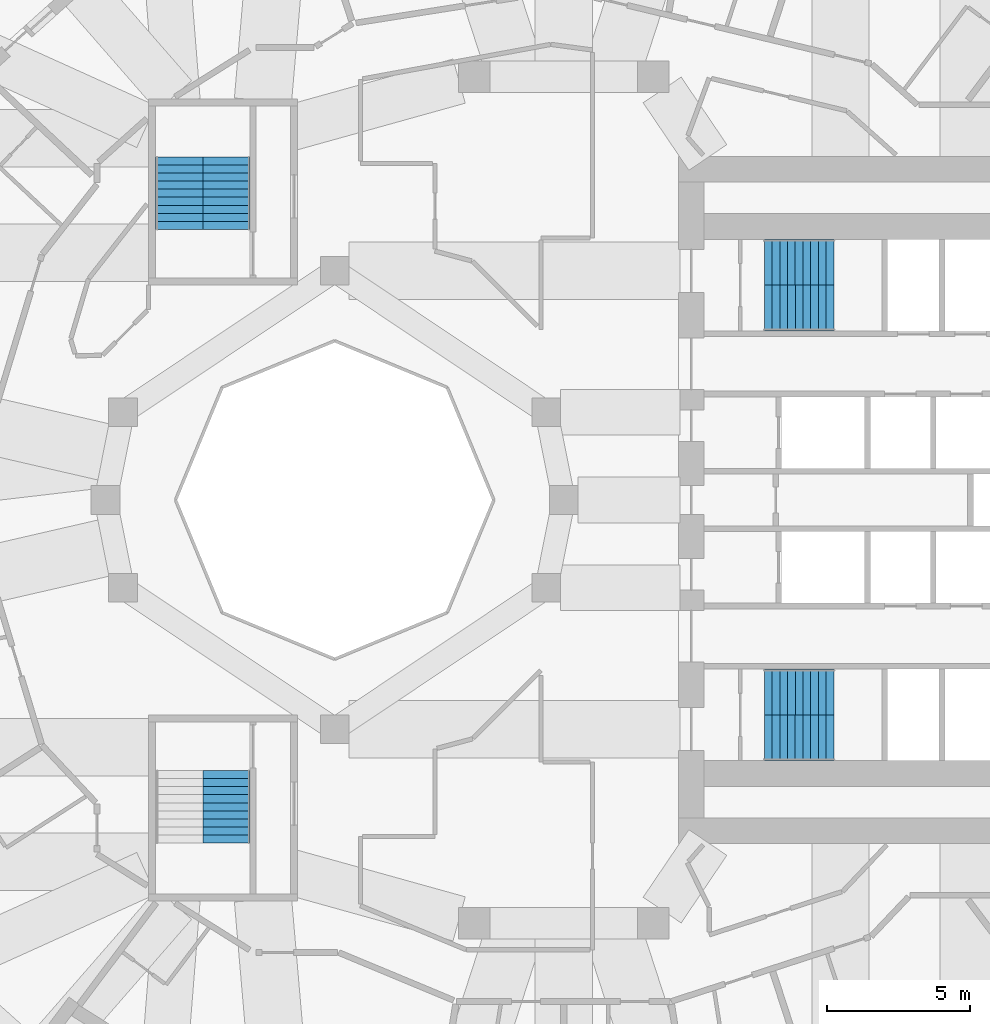
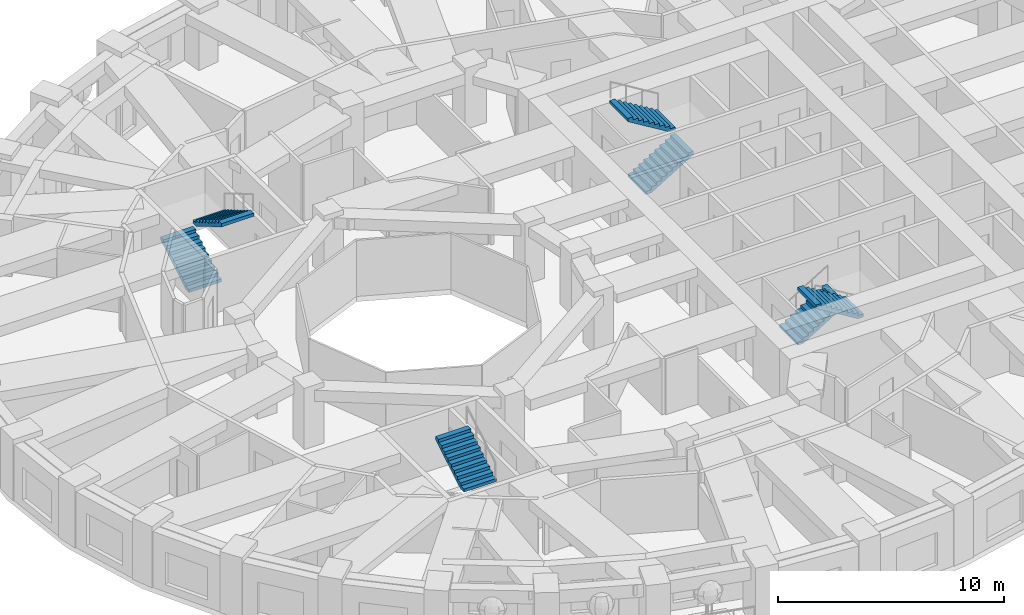
# One storey, part 10 of 13: 7 stair flights, 4 elements without a shape of their own.
"""IFC4 building model written with IfcOpenShell, lengths in metres."""

import ifcopenshell
import ifcopenshell.guid

model = None  # the IFC model being written
_history = None  # IfcOwnerHistory: only IFC2X3 demands one
_inside = {}  # id of a spatial element -> (the spatial element, [elements in it])
_under = {}  # id of a project, library or spatial element -> (it, [spatial elements below it])
_declared = {}  # id of a project -> (the project, [libraries it declares])
_typed = {}  # id of a type object -> (the type object, [elements of that type])
_made_of = {}  # id of a material, layer set ... -> (it, [elements and type objects made of it])


def new_model(schema):
    """Start an empty IFC model of exactly this schema.

    Asked for "IFC4X3", IfcOpenShell would pick the latest addendum, in which some entities
    have other attributes; the version numbers below select the first issue.
    IFC2X3 requires an IfcOwnerHistory on every rooted entity: one is made here for all.
    """
    global model, _history
    if schema == "IFC4X3":
        model = ifcopenshell.file(schema_version=(4, 3, 0, 0))
    else:
        model = ifcopenshell.file(schema=schema)
    _inside.clear()
    _under.clear()
    _declared.clear()
    _typed.clear()
    _made_of.clear()
    _history = None
    if model.schema == "IFC2X3":
        org = make("IfcOrganization", Name="unknown")
        user = make(
            "IfcPersonAndOrganization",
            ThePerson=make("IfcPerson", FamilyName="unknown"),
            TheOrganization=org,
        )
        app = make(
            "IfcApplication",
            ApplicationDeveloper=org,
            Version="unknown",
            ApplicationFullName="unknown",
            ApplicationIdentifier="unknown",
        )
        _history = make(
            "IfcOwnerHistory",
            OwningUser=user,
            OwningApplication=app,
            ChangeAction="ADDED",
            CreationDate=0,
        )
    return model


def make(cls, **values):
    """One entity of the class cls with the attributes given. An attribute that is None is left unset."""
    return model.create_entity(
        cls, **{name: value for name, value in values.items() if value is not None}
    )


def rooted(cls, **values):
    """An entity with a GlobalId (a new one), such as an element, a storey or a relation."""
    return make(cls, GlobalId=ifcopenshell.guid.new(), OwnerHistory=_history, **values)


def si_unit(unit_type, name, prefix=None):
    """IfcSIUnit, for example si_unit("LENGTHUNIT", "METRE", prefix="MILLI")."""
    return make("IfcSIUnit", UnitType=unit_type, Prefix=prefix, Name=name)


def assignment(units):
    """IfcUnitAssignment: the units of a project."""
    return None if units is None else make("IfcUnitAssignment", Units=units)


def point(xyz):
    """IfcCartesianPoint."""
    return None if xyz is None else make("IfcCartesianPoint", Coordinates=xyz)


def direction(xyz):
    """IfcDirection."""
    return None if xyz is None else make("IfcDirection", DirectionRatios=xyz)


def frame(location, z_axis=None, x_axis=None):
    """IfcAxis2Placement3D, a coordinate frame: its origin and axes. An axis left out is left unset."""
    return make(
        "IfcAxis2Placement3D",
        Location=point(location),
        Axis=direction(z_axis),
        RefDirection=direction(x_axis),
    )


def origin():
    """The frame at (0, 0, 0) with its axes left unset."""
    return frame((0.0, 0.0, 0.0))


def place(relative_to, where):
    """IfcLocalPlacement: puts the frame where relative to a parent placement (None: the world)."""
    return make(
        "IfcLocalPlacement", PlacementRelTo=relative_to, RelativePlacement=where
    )


def context(
    kind, dimensions, precision=None, world=None, true_north=None, identifier=None
):
    """IfcGeometricRepresentationContext, for example the 3D "Model" context."""
    return make(
        "IfcGeometricRepresentationContext",
        ContextIdentifier=identifier,
        ContextType=kind,
        CoordinateSpaceDimension=dimensions,
        Precision=precision,
        WorldCoordinateSystem=world,
        TrueNorth=true_north,
    )


def subcontext(parent, identifier, kind, view, scale=None):
    """IfcGeometricRepresentationSubContext, for example "Body" below "Model"."""
    return make(
        "IfcGeometricRepresentationSubContext",
        ContextIdentifier=identifier,
        ContextType=kind,
        ParentContext=parent,
        TargetScale=scale,
        TargetView=view,
    )


def project(units=None, contexts=None):
    """IfcProject with its units and contexts."""
    return rooted(
        "IfcProject",
        Name="project",
        RepresentationContexts=contexts,
        UnitsInContext=assignment(units),
    )


def spatial(cls, under=None, at=None, **own):
    """A site, building, storey or space (cls), placed at a placement, below another one or the project."""
    s = rooted(cls, ObjectPlacement=at, **own)
    if under is not None:
        _under.setdefault(under.id(), (under, []))[1].append(s)
    return s


def polyline(points):
    """IfcPolyline through the points."""
    return make("IfcPolyline", Points=[point(p) for p in points])


def outline(outer, holes=None, kind="AREA"):
    """IfcArbitraryClosedProfileDef: a profile drawn as a closed curve; with holes, ...WithVoids."""
    if holes is None:
        return make("IfcArbitraryClosedProfileDef", ProfileType=kind, OuterCurve=outer)
    return make(
        "IfcArbitraryProfileDefWithVoids",
        ProfileType=kind,
        OuterCurve=outer,
        InnerCurves=holes,
    )


def extrude(swept, where, along, depth):
    """IfcExtrudedAreaSolid: the profile swept, set in the frame where, extruded along a direction by depth."""
    return make(
        "IfcExtrudedAreaSolid",
        SweptArea=swept,
        Position=where,
        ExtrudedDirection=direction(along),
        Depth=depth,
    )


def shape(context_of_items, identifier, shape_type, items):
    """IfcShapeRepresentation: the items that make up one representation, for example the "Body"."""
    return make(
        "IfcShapeRepresentation",
        ContextOfItems=context_of_items,
        RepresentationIdentifier=identifier,
        RepresentationType=shape_type,
        Items=items,
    )


def material(Name=None, Category=None):
    """IfcMaterial."""
    return make("IfcMaterial", Name=Name, Category=Category)


def made_of(thing, what):
    """Note that an element or type object is made of a material, layer set ...; save() writes the relation."""
    if what is not None:
        _made_of.setdefault(what.id(), (what, []))[1].append(thing)
    return thing


def type_object(cls, material=None, **own):
    """A type object (cls), such as IfcWallType, which elements share."""
    return made_of(rooted(cls, **own), material)


def element(
    cls,
    number,
    at=None,
    inside=None,
    cuts=None,
    type_object=None,
    material=None,
    context=None,
    identifier="Body",
    shape_type=None,
    held_by="IfcProductDefinitionShape",
    body=None,
    shapes=None,
    **own,
):
    """One element of the class cls, such as IfcWall. Its Tag is "e" and its number.

    at: its placement. inside: the storey or other place that contains it. cuts: it is an
    opening in that element (IfcRelVoidsElement). A single representation is given by context,
    identifier, shape_type and body (its items); several are given by shapes. held_by: the class
    of the entity that holds the representations. save() writes the other relations.
    """
    e = rooted(cls, Tag="e%d" % number, ObjectPlacement=at, **own)
    if body is not None:
        shapes = [shape(context, identifier, shape_type, body)]
    if shapes is not None:
        e.Representation = make(held_by, Representations=shapes)
    if inside is not None:
        _inside.setdefault(inside.id(), (inside, []))[1].append(e)
    if cuts is not None:
        rooted(
            "IfcRelVoidsElement", RelatingBuildingElement=cuts, RelatedOpeningElement=e
        )
    if type_object is not None:
        _typed.setdefault(type_object.id(), (type_object, []))[1].append(e)
    return made_of(e, material)


def aggregate(whole, parts):
    """IfcRelAggregates: a whole, such as a stair, and the parts it consists of."""
    return rooted("IfcRelAggregates", RelatingObject=whole, RelatedObjects=parts)


def save(model, path):
    """Write the relations noted so far, then the file.

    IfcRelAggregates (storeys below a building ...), IfcRelContainedInSpatialStructure (elements
    in a storey), IfcRelDefinesByType, IfcRelAssociatesMaterial and IfcRelDeclares: one each for
    every whole, place, type object, material and project.
    """
    for whole, parts in _under.values():
        aggregate(whole, parts)
    for where, things in _inside.values():
        rooted(
            "IfcRelContainedInSpatialStructure",
            RelatedElements=things,
            RelatingStructure=where,
        )
    for kind, things in _typed.values():
        rooted("IfcRelDefinesByType", RelatedObjects=things, RelatingType=kind)
    for what, things in _made_of.values():
        rooted("IfcRelAssociatesMaterial", RelatedObjects=things, RelatingMaterial=what)
    for by, libraries in _declared.values():
        rooted("IfcRelDeclares", RelatingContext=by, RelatedDefinitions=libraries)
    model.write(path)


model = new_model("IFC4")

# Units and contexts
model_context = context("Model", 3, precision=1e-05, world=origin(), true_north=direction((0.0, 1.0)))
body_context = subcontext(model_context, "Body", "Model", "MODEL_VIEW")
ifc_project = project(units=[si_unit("LENGTHUNIT", "METRE"), si_unit("AREAUNIT", "SQUARE_METRE"), si_unit("VOLUMEUNIT", "CUBIC_METRE"), si_unit("PLANEANGLEUNIT", "RADIAN"), si_unit("MASSUNIT", "GRAM", prefix="KILO")], contexts=[model_context])

# Site, building, storey
site_placement = place(None, origin())
site = spatial("IfcSite", under=ifc_project, at=site_placement, CompositionType="ELEMENT")
building_placement = place(site_placement, origin())
building = spatial("IfcBuilding", under=site, at=building_placement, Name="Taillehof Tower", CompositionType="ELEMENT")
storey_placement = place(building_placement, frame((0.0, 0.0, 44.800048828125)))
storey = spatial("IfcBuildingStorey", under=building, at=storey_placement, Name="L11", CompositionType="ELEMENT", Elevation=44.800048828125)

# Stair, stair flights
ifc_material_1 = material(Name="Concrete C40/50", Category="concrete")
stair_type = type_object("IfcStairType", Name="Exit stair half-turn", PredefinedType="HALF_TURN_STAIR", material=ifc_material_1)
stair_1_placement = place(storey_placement, origin())
stair_1 = element("IfcStair", 1, at=stair_1_placement, inside=storey, type_object=stair_type, Name="Exit stair S1", PredefinedType="HALF_TURN_STAIR")
ifc_material_2 = material(Name="Concrete C40/50", Category="concrete")
stair_flight_type_1 = type_object("IfcStairFlightType", Name="Stair flight 1600 riser 165.0 going 270", PredefinedType="STRAIGHT", material=ifc_material_2)
stair_flight_1_placement = place(storey_placement, frame((7.0, 6.699951171875, 0.0), z_axis=(0.0, 0.0, 1.0), x_axis=(1.0, 0.0, 0.0)))
stair_flight_1 = element("IfcStairFlight", 2, at=stair_flight_1_placement, type_object=stair_flight_type_1, Name="S1 flight 1", NumberOfRisers=10, NumberOfTreads=9, PredefinedType="STRAIGHT", RiserHeight=0.165, TreadLength=0.27, context=body_context, shape_type="SweptSolid", body=[
    extrude(outline(polyline([(0.0, 0.0), (0.0, 0.00537109375), (0.0, 0.0107421875), (0.0, 0.015869140625), (0.0, 0.021240234375), (0.0, 0.026611328125), (0.0, 0.031982421875), (0.0, 0.037353515625), (0.0, 0.04248046875), (0.0, 0.0478515625), (0.0, 0.05322265625), (0.0, 0.05859375), (0.0, 0.06396484375), (0.0, 0.069091796875), (0.0, 0.074462890625), (0.0, 0.079833984375), (0.0, 0.085205078125), (0.0, 0.090576171875), (0.0, 0.095703125), (0.0, 0.10107421875), (0.0, 0.1064453125), (0.0, 0.11181640625), (0.0, 0.1171875), (0.0, 0.122314453125), (0.0, 0.127685546875), (0.0, 0.133056640625), (0.0, 0.138427734375), (0.0, 0.143798828125), (0.0, 0.14892578125), (0.0, 0.154296875), (0.0, 0.15966796875), (0.0, 0.1650390625), (0.27001953125, 0.1650390625), (0.27001953125, 0.330078125), (0.5400390625, 0.330078125), (0.5400390625, 0.4951171875), (0.81005859375, 0.4951171875), (0.81005859375, 0.659912109375), (1.080078125, 0.659912109375), (1.080078125, 0.824951171875), (1.35009765625, 0.824951171875), (1.35009765625, 0.989990234375), (1.6201171875, 0.989990234375), (1.6201171875, 1.155029296875), (1.889892578125, 1.155029296875), (1.889892578125, 1.320068359375), (2.159912109375, 1.320068359375), (2.159912109375, 1.485107421875), (2.429931640625, 1.485107421875), (2.429931640625, 1.479248046875), (2.429931640625, 1.4736328125), (2.429931640625, 1.468017578125), (2.429931640625, 1.46240234375), (2.429931640625, 1.45654296875), (2.429931640625, 1.450927734375), (2.429931640625, 1.4453125), (2.429931640625, 1.439697265625), (2.429931640625, 1.43408203125), (2.429931640625, 1.42822265625), (2.429931640625, 1.422607421875), (2.429931640625, 1.4169921875), (2.429931640625, 1.411376953125), (2.429931640625, 1.40576171875), (2.429931640625, 1.39990234375), (2.429931640625, 1.394287109375), (2.429931640625, 1.388671875), (2.429931640625, 1.383056640625), (2.429931640625, 1.37744140625), (2.429931640625, 1.37158203125), (2.429931640625, 1.365966796875), (2.429931640625, 1.3603515625), (2.429931640625, 1.354736328125), (2.429931640625, 1.348876953125), (2.429931640625, 1.34326171875), (2.429931640625, 1.337646484375), (2.429931640625, 1.33203125), (2.429931640625, 1.326416015625), (2.429931640625, 1.320556640625), (2.429931640625, 1.31494140625), (2.429931640625, 1.309326171875), (0.287353515625, 0.0), (0.0, 0.0)])), frame((0.0, 0.800048828125, 0.0), z_axis=(0.0, -1.0, 0.0), x_axis=(1.0, 0.0, 0.0)), (0.0, 0.0, 1.0), 1.6),
])
stair_flight_2_placement = place(storey_placement, frame((9.429931640625, 8.300048828125, 1.64990234375), z_axis=(0.0, 0.0, 1.0), x_axis=(-1.0, 0.0, 0.0)))
stair_flight_2 = element("IfcStairFlight", 3, at=stair_flight_2_placement, type_object=stair_flight_type_1, Name="S1 flight 2", NumberOfRisers=10, NumberOfTreads=9, PredefinedType="STRAIGHT", RiserHeight=0.165, TreadLength=0.27, context=body_context, shape_type="SweptSolid", body=[
    extrude(outline(polyline([(0.0, 0.0), (0.0, 0.00537109375), (0.0, 0.0107421875), (0.0, 0.015869140625), (0.0, 0.021240234375), (0.0, 0.026611328125), (0.0, 0.031982421875), (0.0, 0.037353515625), (0.0, 0.04248046875), (0.0, 0.0478515625), (0.0, 0.05322265625), (0.0, 0.05859375), (0.0, 0.06396484375), (0.0, 0.069091796875), (0.0, 0.074462890625), (0.0, 0.079833984375), (0.0, 0.085205078125), (0.0, 0.090576171875), (0.0, 0.095703125), (0.0, 0.10107421875), (0.0, 0.1064453125), (0.0, 0.11181640625), (0.0, 0.1171875), (0.0, 0.122314453125), (0.0, 0.127685546875), (0.0, 0.133056640625), (0.0, 0.138427734375), (0.0, 0.143798828125), (0.0, 0.14892578125), (0.0, 0.154296875), (0.0, 0.15966796875), (0.0, 0.1650390625), (0.27001953125, 0.1650390625), (0.27001953125, 0.330078125), (0.5400390625, 0.330078125), (0.5400390625, 0.4951171875), (0.81005859375, 0.4951171875), (0.81005859375, 0.659912109375), (1.080078125, 0.659912109375), (1.080078125, 0.824951171875), (1.35009765625, 0.824951171875), (1.35009765625, 0.989990234375), (1.6201171875, 0.989990234375), (1.6201171875, 1.155029296875), (1.889892578125, 1.155029296875), (1.889892578125, 1.320068359375), (2.159912109375, 1.320068359375), (2.159912109375, 1.485107421875), (2.429931640625, 1.485107421875), (2.429931640625, 1.479248046875), (2.429931640625, 1.4736328125), (2.429931640625, 1.468017578125), (2.429931640625, 1.46240234375), (2.429931640625, 1.45654296875), (2.429931640625, 1.450927734375), (2.429931640625, 1.4453125), (2.429931640625, 1.439697265625), (2.429931640625, 1.43408203125), (2.429931640625, 1.42822265625), (2.429931640625, 1.422607421875), (2.429931640625, 1.4169921875), (2.429931640625, 1.411376953125), (2.429931640625, 1.40576171875), (2.429931640625, 1.39990234375), (2.429931640625, 1.394287109375), (2.429931640625, 1.388671875), (2.429931640625, 1.383056640625), (2.429931640625, 1.37744140625), (2.429931640625, 1.37158203125), (2.429931640625, 1.365966796875), (2.429931640625, 1.3603515625), (2.429931640625, 1.354736328125), (2.429931640625, 1.348876953125), (2.429931640625, 1.34326171875), (2.429931640625, 1.337646484375), (2.429931640625, 1.33203125), (2.429931640625, 1.326416015625), (2.429931640625, 1.320556640625), (2.429931640625, 1.31494140625), (2.429931640625, 1.309326171875), (0.287353515625, 0.0), (0.0, 0.0)])), frame((0.0, 0.800048828125, 0.0), z_axis=(0.0, -1.0, 0.0), x_axis=(1.0, 0.0, 0.0)), (0.0, 0.0, 1.0), 1.6),
])
aggregate(stair_1, [stair_flight_1, stair_flight_2])

stair_2_placement = place(storey_placement, origin())
stair_2 = element("IfcStair", 4, at=stair_2_placement, inside=storey, type_object=stair_type, Name="Exit stair S2", PredefinedType="HALF_TURN_STAIR")
stair_flight_3_placement = place(storey_placement, frame((7.0, -6.699951171875, 0.0), z_axis=(0.0, 0.0, 1.0), x_axis=(1.0, 0.0, 0.0)))
stair_flight_3 = element("IfcStairFlight", 5, at=stair_flight_3_placement, type_object=stair_flight_type_1, Name="S2 flight 1", NumberOfRisers=10, NumberOfTreads=9, PredefinedType="STRAIGHT", RiserHeight=0.165, TreadLength=0.27, context=body_context, shape_type="SweptSolid", body=[
    extrude(outline(polyline([(0.0, 0.0), (0.0, 0.00537109375), (0.0, 0.0107421875), (0.0, 0.015869140625), (0.0, 0.021240234375), (0.0, 0.026611328125), (0.0, 0.031982421875), (0.0, 0.037353515625), (0.0, 0.04248046875), (0.0, 0.0478515625), (0.0, 0.05322265625), (0.0, 0.05859375), (0.0, 0.06396484375), (0.0, 0.069091796875), (0.0, 0.074462890625), (0.0, 0.079833984375), (0.0, 0.085205078125), (0.0, 0.090576171875), (0.0, 0.095703125), (0.0, 0.10107421875), (0.0, 0.1064453125), (0.0, 0.11181640625), (0.0, 0.1171875), (0.0, 0.122314453125), (0.0, 0.127685546875), (0.0, 0.133056640625), (0.0, 0.138427734375), (0.0, 0.143798828125), (0.0, 0.14892578125), (0.0, 0.154296875), (0.0, 0.15966796875), (0.0, 0.1650390625), (0.27001953125, 0.1650390625), (0.27001953125, 0.330078125), (0.5400390625, 0.330078125), (0.5400390625, 0.4951171875), (0.81005859375, 0.4951171875), (0.81005859375, 0.659912109375), (1.080078125, 0.659912109375), (1.080078125, 0.824951171875), (1.35009765625, 0.824951171875), (1.35009765625, 0.989990234375), (1.6201171875, 0.989990234375), (1.6201171875, 1.155029296875), (1.889892578125, 1.155029296875), (1.889892578125, 1.320068359375), (2.159912109375, 1.320068359375), (2.159912109375, 1.485107421875), (2.429931640625, 1.485107421875), (2.429931640625, 1.479248046875), (2.429931640625, 1.4736328125), (2.429931640625, 1.468017578125), (2.429931640625, 1.46240234375), (2.429931640625, 1.45654296875), (2.429931640625, 1.450927734375), (2.429931640625, 1.4453125), (2.429931640625, 1.439697265625), (2.429931640625, 1.43408203125), (2.429931640625, 1.42822265625), (2.429931640625, 1.422607421875), (2.429931640625, 1.4169921875), (2.429931640625, 1.411376953125), (2.429931640625, 1.40576171875), (2.429931640625, 1.39990234375), (2.429931640625, 1.394287109375), (2.429931640625, 1.388671875), (2.429931640625, 1.383056640625), (2.429931640625, 1.37744140625), (2.429931640625, 1.37158203125), (2.429931640625, 1.365966796875), (2.429931640625, 1.3603515625), (2.429931640625, 1.354736328125), (2.429931640625, 1.348876953125), (2.429931640625, 1.34326171875), (2.429931640625, 1.337646484375), (2.429931640625, 1.33203125), (2.429931640625, 1.326416015625), (2.429931640625, 1.320556640625), (2.429931640625, 1.31494140625), (2.429931640625, 1.309326171875), (0.287353515625, 0.0), (0.0, 0.0)])), frame((0.0, 0.800048828125, 0.0), z_axis=(0.0, -1.0, 0.0), x_axis=(1.0, 0.0, 0.0)), (0.0, 0.0, 1.0), 1.6),
])
stair_flight_4_placement = place(storey_placement, frame((9.429931640625, -8.300048828125, 1.64990234375), z_axis=(0.0, 0.0, 1.0), x_axis=(-1.0, 0.0, 0.0)))
stair_flight_4 = element("IfcStairFlight", 6, at=stair_flight_4_placement, type_object=stair_flight_type_1, Name="S2 flight 2", NumberOfRisers=10, NumberOfTreads=9, PredefinedType="STRAIGHT", RiserHeight=0.165, TreadLength=0.27, context=body_context, shape_type="SweptSolid", body=[
    extrude(outline(polyline([(0.0, 0.0), (0.0, 0.00537109375), (0.0, 0.0107421875), (0.0, 0.015869140625), (0.0, 0.021240234375), (0.0, 0.026611328125), (0.0, 0.031982421875), (0.0, 0.037353515625), (0.0, 0.04248046875), (0.0, 0.0478515625), (0.0, 0.05322265625), (0.0, 0.05859375), (0.0, 0.06396484375), (0.0, 0.069091796875), (0.0, 0.074462890625), (0.0, 0.079833984375), (0.0, 0.085205078125), (0.0, 0.090576171875), (0.0, 0.095703125), (0.0, 0.10107421875), (0.0, 0.1064453125), (0.0, 0.11181640625), (0.0, 0.1171875), (0.0, 0.122314453125), (0.0, 0.127685546875), (0.0, 0.133056640625), (0.0, 0.138427734375), (0.0, 0.143798828125), (0.0, 0.14892578125), (0.0, 0.154296875), (0.0, 0.15966796875), (0.0, 0.1650390625), (0.27001953125, 0.1650390625), (0.27001953125, 0.330078125), (0.5400390625, 0.330078125), (0.5400390625, 0.4951171875), (0.81005859375, 0.4951171875), (0.81005859375, 0.659912109375), (1.080078125, 0.659912109375), (1.080078125, 0.824951171875), (1.35009765625, 0.824951171875), (1.35009765625, 0.989990234375), (1.6201171875, 0.989990234375), (1.6201171875, 1.155029296875), (1.889892578125, 1.155029296875), (1.889892578125, 1.320068359375), (2.159912109375, 1.320068359375), (2.159912109375, 1.485107421875), (2.429931640625, 1.485107421875), (2.429931640625, 1.479248046875), (2.429931640625, 1.4736328125), (2.429931640625, 1.468017578125), (2.429931640625, 1.46240234375), (2.429931640625, 1.45654296875), (2.429931640625, 1.450927734375), (2.429931640625, 1.4453125), (2.429931640625, 1.439697265625), (2.429931640625, 1.43408203125), (2.429931640625, 1.42822265625), (2.429931640625, 1.422607421875), (2.429931640625, 1.4169921875), (2.429931640625, 1.411376953125), (2.429931640625, 1.40576171875), (2.429931640625, 1.39990234375), (2.429931640625, 1.394287109375), (2.429931640625, 1.388671875), (2.429931640625, 1.383056640625), (2.429931640625, 1.37744140625), (2.429931640625, 1.37158203125), (2.429931640625, 1.365966796875), (2.429931640625, 1.3603515625), (2.429931640625, 1.354736328125), (2.429931640625, 1.348876953125), (2.429931640625, 1.34326171875), (2.429931640625, 1.337646484375), (2.429931640625, 1.33203125), (2.429931640625, 1.326416015625), (2.429931640625, 1.320556640625), (2.429931640625, 1.31494140625), (2.429931640625, 1.309326171875), (0.287353515625, 0.0), (0.0, 0.0)])), frame((0.0, 0.800048828125, 0.0), z_axis=(0.0, -1.0, 0.0), x_axis=(1.0, 0.0, 0.0)), (0.0, 0.0, 1.0), 1.6),
])
aggregate(stair_2, [stair_flight_3, stair_flight_4])

stair_3_placement = place(storey_placement, origin())
stair_3 = element("IfcStair", 7, at=stair_3_placement, inside=storey, type_object=stair_type, Name="Exit stair S3", PredefinedType="HALF_TURN_STAIR")
ifc_material_3 = material(Name="Concrete C40/50", Category="concrete")
stair_flight_type_2 = type_object("IfcStairFlightType", Name="Stair flight 1650 riser 165.0 going 280", PredefinedType="STRAIGHT", material=ifc_material_3)
stair_flight_5_placement = place(storey_placement, frame((-13.425048828125, 9.449951171875, 0.0), z_axis=(0.0, 0.0, 1.0), x_axis=(0.0, 1.0, 0.0)))
stair_flight_5 = element("IfcStairFlight", 8, at=stair_flight_5_placement, type_object=stair_flight_type_2, Name="S3 flight 1", NumberOfRisers=10, NumberOfTreads=9, PredefinedType="STRAIGHT", RiserHeight=0.165, TreadLength=0.28, context=body_context, shape_type="SweptSolid", body=[
    extrude(outline(polyline([(0.0, 0.0), (0.0, 0.00537109375), (0.0, 0.0107421875), (0.0, 0.015869140625), (0.0, 0.021240234375), (0.0, 0.026611328125), (0.0, 0.031982421875), (0.0, 0.037353515625), (0.0, 0.04248046875), (0.0, 0.0478515625), (0.0, 0.05322265625), (0.0, 0.05859375), (0.0, 0.06396484375), (0.0, 0.069091796875), (0.0, 0.074462890625), (0.0, 0.079833984375), (0.0, 0.085205078125), (0.0, 0.090576171875), (0.0, 0.095703125), (0.0, 0.10107421875), (0.0, 0.1064453125), (0.0, 0.11181640625), (0.0, 0.1171875), (0.0, 0.122314453125), (0.0, 0.127685546875), (0.0, 0.133056640625), (0.0, 0.138427734375), (0.0, 0.143798828125), (0.0, 0.14892578125), (0.0, 0.154296875), (0.0, 0.15966796875), (0.0, 0.1650390625), (0.280029296875, 0.1650390625), (0.280029296875, 0.330078125), (0.56005859375, 0.330078125), (0.56005859375, 0.4951171875), (0.840087890625, 0.4951171875), (0.840087890625, 0.659912109375), (1.1201171875, 0.659912109375), (1.1201171875, 0.824951171875), (1.39990234375, 0.824951171875), (1.39990234375, 0.989990234375), (1.679931640625, 0.989990234375), (1.679931640625, 1.155029296875), (1.9599609375, 1.155029296875), (1.9599609375, 1.320068359375), (2.239990234375, 1.320068359375), (2.239990234375, 1.485107421875), (2.52001953125, 1.485107421875), (2.52001953125, 1.4794921875), (2.52001953125, 1.473876953125), (2.52001953125, 1.46826171875), (2.52001953125, 1.462646484375), (2.52001953125, 1.45703125), (2.52001953125, 1.451416015625), (2.52001953125, 1.44580078125), (2.52001953125, 1.440185546875), (2.52001953125, 1.4345703125), (2.52001953125, 1.428955078125), (2.52001953125, 1.42333984375), (2.52001953125, 1.417724609375), (2.52001953125, 1.412109375), (2.52001953125, 1.406494140625), (2.52001953125, 1.40087890625), (2.52001953125, 1.395263671875), (2.52001953125, 1.3896484375), (2.52001953125, 1.384033203125), (2.52001953125, 1.37841796875), (2.52001953125, 1.372802734375), (2.52001953125, 1.3671875), (2.52001953125, 1.361572265625), (2.52001953125, 1.35595703125), (2.52001953125, 1.350341796875), (2.52001953125, 1.3447265625), (2.52001953125, 1.339111328125), (2.52001953125, 1.33349609375), (2.52001953125, 1.327880859375), (2.52001953125, 1.322265625), (2.52001953125, 1.316650390625), (2.52001953125, 1.31103515625), (0.295166015625, 0.0), (0.0, 0.0)])), frame((0.0, 0.824951171875, 0.0), z_axis=(0.0, -1.0, 0.0), x_axis=(1.0, 0.0, 0.0)), (0.0, 0.0, 1.0), 1.65),
])
stair_flight_6_placement = place(storey_placement, frame((-11.77490234375, 11.969970703125, 1.64990234375), z_axis=(0.0, 0.0, 1.0), x_axis=(0.0, -1.0, 0.0)))
stair_flight_6 = element("IfcStairFlight", 9, at=stair_flight_6_placement, type_object=stair_flight_type_2, Name="S3 flight 2", NumberOfRisers=10, NumberOfTreads=9, PredefinedType="STRAIGHT", RiserHeight=0.165, TreadLength=0.28, context=body_context, shape_type="SweptSolid", body=[
    extrude(outline(polyline([(0.0, 0.0), (0.0, 0.00537109375), (0.0, 0.0107421875), (0.0, 0.015869140625), (0.0, 0.021240234375), (0.0, 0.026611328125), (0.0, 0.031982421875), (0.0, 0.037353515625), (0.0, 0.04248046875), (0.0, 0.0478515625), (0.0, 0.05322265625), (0.0, 0.05859375), (0.0, 0.06396484375), (0.0, 0.069091796875), (0.0, 0.074462890625), (0.0, 0.079833984375), (0.0, 0.085205078125), (0.0, 0.090576171875), (0.0, 0.095703125), (0.0, 0.10107421875), (0.0, 0.1064453125), (0.0, 0.11181640625), (0.0, 0.1171875), (0.0, 0.122314453125), (0.0, 0.127685546875), (0.0, 0.133056640625), (0.0, 0.138427734375), (0.0, 0.143798828125), (0.0, 0.14892578125), (0.0, 0.154296875), (0.0, 0.15966796875), (0.0, 0.1650390625), (0.280029296875, 0.1650390625), (0.280029296875, 0.330078125), (0.56005859375, 0.330078125), (0.56005859375, 0.4951171875), (0.840087890625, 0.4951171875), (0.840087890625, 0.659912109375), (1.1201171875, 0.659912109375), (1.1201171875, 0.824951171875), (1.39990234375, 0.824951171875), (1.39990234375, 0.989990234375), (1.679931640625, 0.989990234375), (1.679931640625, 1.155029296875), (1.9599609375, 1.155029296875), (1.9599609375, 1.320068359375), (2.239990234375, 1.320068359375), (2.239990234375, 1.485107421875), (2.52001953125, 1.485107421875), (2.52001953125, 1.4794921875), (2.52001953125, 1.473876953125), (2.52001953125, 1.46826171875), (2.52001953125, 1.462646484375), (2.52001953125, 1.45703125), (2.52001953125, 1.451416015625), (2.52001953125, 1.44580078125), (2.52001953125, 1.440185546875), (2.52001953125, 1.4345703125), (2.52001953125, 1.428955078125), (2.52001953125, 1.42333984375), (2.52001953125, 1.417724609375), (2.52001953125, 1.412109375), (2.52001953125, 1.406494140625), (2.52001953125, 1.40087890625), (2.52001953125, 1.395263671875), (2.52001953125, 1.3896484375), (2.52001953125, 1.384033203125), (2.52001953125, 1.37841796875), (2.52001953125, 1.372802734375), (2.52001953125, 1.3671875), (2.52001953125, 1.361572265625), (2.52001953125, 1.35595703125), (2.52001953125, 1.350341796875), (2.52001953125, 1.3447265625), (2.52001953125, 1.339111328125), (2.52001953125, 1.33349609375), (2.52001953125, 1.327880859375), (2.52001953125, 1.322265625), (2.52001953125, 1.316650390625), (2.52001953125, 1.31103515625), (0.295166015625, 0.0), (0.0, 0.0)])), frame((0.0, 0.824951171875, 0.0), z_axis=(0.0, -1.0, 0.0), x_axis=(1.0, 0.0, 0.0)), (0.0, 0.0, 1.0), 1.65),
])
aggregate(stair_3, [stair_flight_5, stair_flight_6])

# Stair, stair flight
stair_4_placement = place(storey_placement, origin())
stair_4 = element("IfcStair", 10, at=stair_4_placement, inside=storey, type_object=stair_type, Name="Exit stair S4", PredefinedType="HALF_TURN_STAIR")
stair_flight_7_placement = place(storey_placement, frame((-11.77490234375, -11.969970703125, 1.64990234375), z_axis=(0.0, 0.0, 1.0), x_axis=(0.0, 1.0, 0.0)))
stair_flight_7 = element("IfcStairFlight", 11, at=stair_flight_7_placement, type_object=stair_flight_type_2, Name="S4 flight 2", NumberOfRisers=10, NumberOfTreads=9, PredefinedType="STRAIGHT", RiserHeight=0.165, TreadLength=0.28, context=body_context, shape_type="SweptSolid", body=[
    extrude(outline(polyline([(0.0, 0.0), (0.0, 0.00537109375), (0.0, 0.0107421875), (0.0, 0.015869140625), (0.0, 0.021240234375), (0.0, 0.026611328125), (0.0, 0.031982421875), (0.0, 0.037353515625), (0.0, 0.04248046875), (0.0, 0.0478515625), (0.0, 0.05322265625), (0.0, 0.05859375), (0.0, 0.06396484375), (0.0, 0.069091796875), (0.0, 0.074462890625), (0.0, 0.079833984375), (0.0, 0.085205078125), (0.0, 0.090576171875), (0.0, 0.095703125), (0.0, 0.10107421875), (0.0, 0.1064453125), (0.0, 0.11181640625), (0.0, 0.1171875), (0.0, 0.122314453125), (0.0, 0.127685546875), (0.0, 0.133056640625), (0.0, 0.138427734375), (0.0, 0.143798828125), (0.0, 0.14892578125), (0.0, 0.154296875), (0.0, 0.15966796875), (0.0, 0.1650390625), (0.280029296875, 0.1650390625), (0.280029296875, 0.330078125), (0.56005859375, 0.330078125), (0.56005859375, 0.4951171875), (0.840087890625, 0.4951171875), (0.840087890625, 0.659912109375), (1.1201171875, 0.659912109375), (1.1201171875, 0.824951171875), (1.39990234375, 0.824951171875), (1.39990234375, 0.989990234375), (1.679931640625, 0.989990234375), (1.679931640625, 1.155029296875), (1.9599609375, 1.155029296875), (1.9599609375, 1.320068359375), (2.239990234375, 1.320068359375), (2.239990234375, 1.485107421875), (2.52001953125, 1.485107421875), (2.52001953125, 1.4794921875), (2.52001953125, 1.473876953125), (2.52001953125, 1.46826171875), (2.52001953125, 1.462646484375), (2.52001953125, 1.45703125), (2.52001953125, 1.451416015625), (2.52001953125, 1.44580078125), (2.52001953125, 1.440185546875), (2.52001953125, 1.4345703125), (2.52001953125, 1.428955078125), (2.52001953125, 1.42333984375), (2.52001953125, 1.417724609375), (2.52001953125, 1.412109375), (2.52001953125, 1.406494140625), (2.52001953125, 1.40087890625), (2.52001953125, 1.395263671875), (2.52001953125, 1.3896484375), (2.52001953125, 1.384033203125), (2.52001953125, 1.37841796875), (2.52001953125, 1.372802734375), (2.52001953125, 1.3671875), (2.52001953125, 1.361572265625), (2.52001953125, 1.35595703125), (2.52001953125, 1.350341796875), (2.52001953125, 1.3447265625), (2.52001953125, 1.339111328125), (2.52001953125, 1.33349609375), (2.52001953125, 1.327880859375), (2.52001953125, 1.322265625), (2.52001953125, 1.316650390625), (2.52001953125, 1.31103515625), (0.295166015625, 0.0), (0.0, 0.0)])), frame((0.0, 0.824951171875, 0.0), z_axis=(0.0, -1.0, 0.0), x_axis=(1.0, 0.0, 0.0)), (0.0, 0.0, 1.0), 1.65),
])
aggregate(stair_4, [stair_flight_7])

save(model, "model.ifc")
